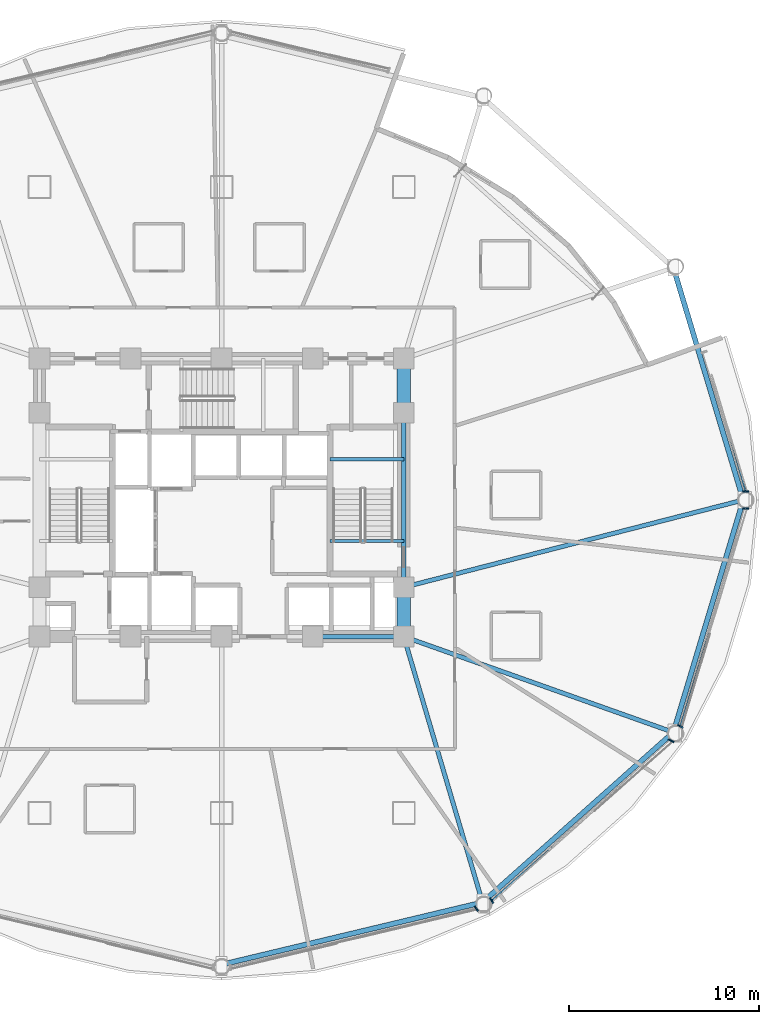
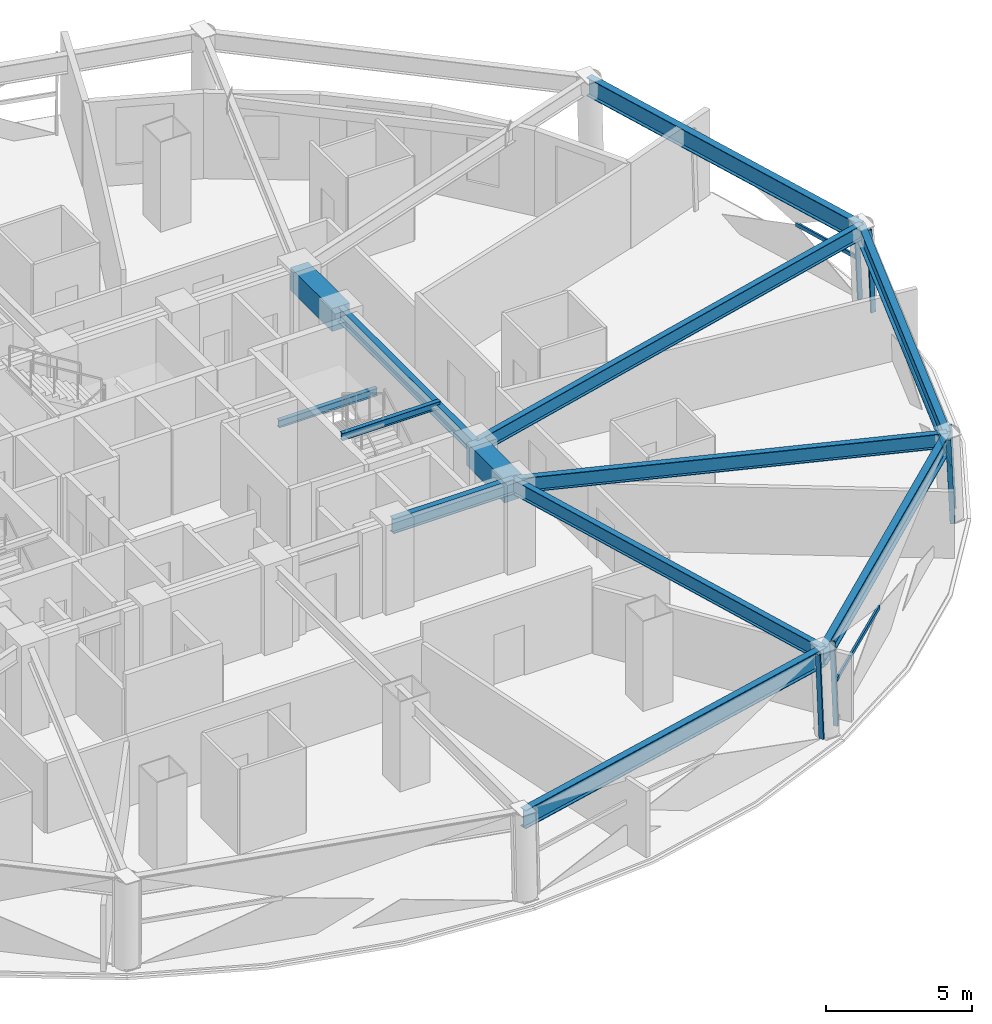
# One storey, part 3 of 16: 13 beams, 9 members, 4 elements without a shape of their own.
"""IFC4 building model written with IfcOpenShell, lengths in metres."""

from ifc_helpers import new_model, si_unit, direction, frame, origin, origin_2d, place, context, subcontext, project, spatial, rectangle, hollow_rectangle, i_section, extrude, material, layer, layer_set, material_profile, profile_set, type_object, element, aggregate, save


model = new_model("IFC4")

# Units and contexts
model_context = context("Model", 3, precision=1e-05, world=origin(), true_north=direction((0.0, 1.0)))
body_context = subcontext(model_context, "Body", "Model", "MODEL_VIEW")
ifc_project = project(units=[si_unit("LENGTHUNIT", "METRE"), si_unit("AREAUNIT", "SQUARE_METRE"), si_unit("VOLUMEUNIT", "CUBIC_METRE"), si_unit("PLANEANGLEUNIT", "RADIAN"), si_unit("MASSUNIT", "GRAM", prefix="KILO")], contexts=[model_context])

# Site, building, storey
site_placement = place(None, origin())
site = spatial("IfcSite", under=ifc_project, at=site_placement, CompositionType="ELEMENT")
building_placement = place(site_placement, origin())
building = spatial("IfcBuilding", under=site, at=building_placement, Name="Vantalir Tower", CompositionType="ELEMENT")
storey_placement = place(building_placement, frame((0.0, 0.0, 75.75)))
storey = spatial("IfcBuildingStorey", under=building, at=storey_placement, Name="L18", CompositionType="ELEMENT", Elevation=75.75)

# Beams
ifc_material_1 = material(Name="Concrete C60/75", Category="concrete")
ifc_material_profile_1 = material_profile(ifc_material_1, rectangle(XDim=0.699951171875, YDim=0.949951171875, at=origin_2d()), Name="Concrete C60/75")
ifc_profile_set_1 = profile_set([ifc_material_profile_1], Name="Concrete C60/75")
beam_type_1 = type_object("IfcBeamType", Name="BM-CB-700x950", PredefinedType="USERDEFINED", material=ifc_profile_set_1)
beam_1_placement = place(storey_placement, frame((41.10009765625, 17.800048828125, 3.094970703125), z_axis=(0.0, 1.0, 0.0), x_axis=(-1.0, 0.0, 0.0)))
element("IfcBeam", 1, at=beam_1_placement, inside=storey, type_object=beam_type_1, Name="L18 Core Coupling Girder 05", ObjectType="GIRDER", PredefinedType="USERDEFINED", context=body_context, shape_type="SweptSolid", body=[
    extrude(rectangle(XDim=0.699951171875, YDim=0.949951171875, at=origin_2d()), origin(), (0.0, 0.0, 1.0), 2.599853515625),
])
beam_2_placement = place(storey_placement, frame((41.10009765625, 29.60009765625, 3.094970703125), z_axis=(0.0, 1.0, 0.0), x_axis=(-1.0, 0.0, 0.0)))
element("IfcBeam", 2, at=beam_2_placement, inside=storey, type_object=beam_type_1, Name="L18 Core Coupling Girder 07", ObjectType="GIRDER", PredefinedType="USERDEFINED", context=body_context, shape_type="SweptSolid", body=[
    extrude(rectangle(XDim=0.699951171875, YDim=0.949951171875, at=origin_2d()), origin(), (0.0, 0.0, 1.0), 2.849853515625),
])
ifc_material_2 = material(Name="Steel S355", Category="steel")
ifc_material_profile_2 = material_profile(ifc_material_2, i_section(OverallWidth=0.166015625, OverallDepth=0.306884765625, WebThickness=0.006591796875, FlangeThickness=0.01171875, at=origin_2d()), Name="Steel S355")
ifc_profile_set_2 = profile_set([ifc_material_profile_2], Name="Steel S355")
beam_type_2 = type_object("IfcBeamType", Name="BM-JS-305x165", PredefinedType="JOIST", material=ifc_profile_set_2)
for number, where, z_axis, x_axis, name in (
    (3, (37.2099609375, 22.8349609375, 3.595947265625), (1.0, 0.0, 0.0), (0.0, 1.0, 0.0), "L19 Stair ST2 Well Nosing Trimmer Beam"),
    (4, (37.2099609375, 27.14501953125, 1.52197265625), (1.0, 0.0, 0.0), (0.0, 1.0, 0.0), "L18 Stair ST2 Half-Landing Support Beam"),
):
    element("IfcBeam", number, at=place(storey_placement, frame(where, z_axis=z_axis, x_axis=x_axis)), inside=storey, type_object=beam_type_2, Name=name, PredefinedType="JOIST", context=body_context, shape_type="SweptSolid", body=[
        extrude(i_section(OverallWidth=0.166015625, OverallDepth=0.306884765625, WebThickness=0.006591796875, FlangeThickness=0.01171875, at=origin_2d()), origin(), (0.0, 0.0, 1.0), 3.89013671875),
    ])
ifc_material_profile_3 = material_profile(ifc_material_2, i_section(OverallWidth=0.22998046875, OverallDepth=0.616943359375, WebThickness=0.01318359375, FlangeThickness=0.022216796875, at=origin_2d()), Name="Steel S355")
ifc_profile_set_3 = profile_set([ifc_material_profile_3], Name="Steel S355")
beam_type_3 = type_object("IfcBeamType", Name="BM-RB-610x229", PredefinedType="BEAM", material=ifc_profile_set_3)
beam_3_placement = place(storey_placement, frame((36.300048828125, 17.800048828125, 3.261962890625), z_axis=(1.0, 0.0, 0.0), x_axis=(0.0, 1.0, 0.0)))
element("IfcBeam", 5, at=beam_3_placement, inside=storey, type_object=beam_type_3, Name="L18 Core Coupling Girder 04", PredefinedType="BEAM", context=body_context, shape_type="SweptSolid", body=[
    extrude(i_section(OverallWidth=0.22998046875, OverallDepth=0.616943359375, WebThickness=0.01318359375, FlangeThickness=0.022216796875, at=origin_2d()), origin(), (0.0, 0.0, 1.0), 4.800048828125),
])
beam_4_placement = place(storey_placement, frame((41.10009765625, 20.39990234375, 3.261962890625), z_axis=(0.0, 1.0, 0.0), x_axis=(-1.0, 0.0, 0.0)))
element("IfcBeam", 6, at=beam_4_placement, inside=storey, type_object=beam_type_3, Name="L18 Core Coupling Girder 06", PredefinedType="BEAM", context=body_context, shape_type="SweptSolid", body=[
    extrude(i_section(OverallWidth=0.22998046875, OverallDepth=0.616943359375, WebThickness=0.01318359375, FlangeThickness=0.022216796875, at=origin_2d()), origin(), (0.0, 0.0, 1.0), 9.2001953125),
])
beam_5_placement = place(storey_placement, frame((59.0, 25.0, 3.261962890625), z_axis=(-0.968528607781, -0.248902261761, 0.0), x_axis=(0.248902261761, -0.968528607781, 0.0)))
element("IfcBeam", 7, at=beam_5_placement, inside=storey, type_object=beam_type_3, Name="L18 Radial Floor Beam 01", PredefinedType="BEAM", context=body_context, shape_type="SweptSolid", body=[
    extrude(i_section(OverallWidth=0.22998046875, OverallDepth=0.616943359375, WebThickness=0.01318359375, FlangeThickness=0.022216796875, at=origin_2d()), origin(), (0.0, 0.0, 1.0), 18.4814453125),
])
beam_6_placement = place(storey_placement, frame((45.25, 3.787109375, 3.261962890625), z_axis=(-0.283957507108, 0.958836865247, 0.0), x_axis=(-0.958836865247, -0.283957507108, 0.0)))
element("IfcBeam", 8, at=beam_6_placement, inside=storey, type_object=beam_type_3, Name="L18 Radial Floor Beam 11", PredefinedType="BEAM", context=body_context, shape_type="SweptSolid", body=[
    extrude(i_section(OverallWidth=0.22998046875, OverallDepth=0.616943359375, WebThickness=0.01318359375, FlangeThickness=0.022216796875, at=origin_2d()), origin(), (0.0, 0.0, 1.0), 14.614501953125),
])
beam_7_placement = place(storey_placement, frame((55.31591796875, 12.751953125, 3.261962890625), z_axis=(-0.942348909406, 0.334631936522, 0.0), x_axis=(-0.334631936522, -0.942348909406, 0.0)))
element("IfcBeam", 9, at=beam_7_placement, inside=storey, type_object=beam_type_3, Name="L18 Radial Floor Beam 12", PredefinedType="BEAM", context=body_context, shape_type="SweptSolid", body=[
    extrude(i_section(OverallWidth=0.22998046875, OverallDepth=0.616943359375, WebThickness=0.01318359375, FlangeThickness=0.022216796875, at=origin_2d()), origin(), (0.0, 0.0, 1.0), 15.08544921875),
])
ifc_material_3 = material(Name="Steel S460", Category="steel")
ifc_material_profile_4 = material_profile(ifc_material_3, i_section(OverallWidth=0.26806640625, OverallDepth=0.77001953125, WebThickness=0.015625, FlangeThickness=0.025390625, at=origin_2d()), Name="Steel S460")
ifc_profile_set_4 = profile_set([ifc_material_profile_4], Name="Steel S460")
beam_type_4 = type_object("IfcBeamType", Name="BM-RG-762x267", PredefinedType="USERDEFINED", material=ifc_profile_set_4)
beam_8_placement = place(storey_placement, frame((59.0, 25.0, 3.18505859375), z_axis=(-0.288062352819, 0.957611654528, 0.0), x_axis=(-0.957611654528, -0.288062352819, 0.0)))
element("IfcBeam", 10, at=beam_8_placement, inside=storey, type_object=beam_type_4, Name="L18 Circumferential Ring Girder 01", ObjectType="GIRDER", PredefinedType="USERDEFINED", context=body_context, shape_type="SweptSolid", body=[
    extrude(i_section(OverallWidth=0.26806640625, OverallDepth=0.77001953125, WebThickness=0.015625, FlangeThickness=0.025390625, at=origin_2d()), origin(), (0.0, 0.0, 1.0), 12.7890625),
])
beam_9_placement = place(storey_placement, frame((31.5, 0.5048828125, 3.18505859375), z_axis=(0.972671890468, 0.232183964763, 0.0), x_axis=(-0.232183964763, 0.972671890468, 0.0)))
element("IfcBeam", 11, at=beam_9_placement, inside=storey, type_object=beam_type_4, Name="L18 Circumferential Ring Girder 10", ObjectType="GIRDER", PredefinedType="USERDEFINED", context=body_context, shape_type="SweptSolid", body=[
    extrude(i_section(OverallWidth=0.26806640625, OverallDepth=0.77001953125, WebThickness=0.015625, FlangeThickness=0.025390625, at=origin_2d()), origin(), (0.0, 0.0, 1.0), 14.13623046875),
])
beam_10_placement = place(storey_placement, frame((45.25, 3.787109375, 3.18505859375), z_axis=(0.74676942142, 0.665083025819, 0.0), x_axis=(-0.665083025819, 0.74676942142, 0.0)))
element("IfcBeam", 12, at=beam_10_placement, inside=storey, type_object=beam_type_4, Name="L18 Circumferential Ring Girder 11", ObjectType="GIRDER", PredefinedType="USERDEFINED", context=body_context, shape_type="SweptSolid", body=[
    extrude(i_section(OverallWidth=0.26806640625, OverallDepth=0.77001953125, WebThickness=0.015625, FlangeThickness=0.025390625, at=origin_2d()), origin(), (0.0, 0.0, 1.0), 13.479248046875),
])
beam_11_placement = place(storey_placement, frame((55.31591796875, 12.751953125, 3.18505859375), z_axis=(0.288041290662, 0.957617990053, 0.0), x_axis=(-0.957617990053, 0.288041290662, 0.0)))
element("IfcBeam", 13, at=beam_11_placement, inside=storey, type_object=beam_type_4, Name="L18 Circumferential Ring Girder 12", ObjectType="GIRDER", PredefinedType="USERDEFINED", context=body_context, shape_type="SweptSolid", body=[
    extrude(i_section(OverallWidth=0.26806640625, OverallDepth=0.77001953125, WebThickness=0.015625, FlangeThickness=0.025390625, at=origin_2d()), origin(), (0.0, 0.0, 1.0), 12.7900390625),
])

# Curtain wall, member
ifc_material_4 = material(Name="Champagne-silver PVDF aluminium and double-silver Low-E glass", Category="aluminium")
ifc_layer = layer(ifc_material_4, 0.18994140625)
ifc_layer_set = layer_set([ifc_layer], Name="Champagne-silver PVDF aluminium and double-silver Low-E glass")
curtain_wall_type = type_object("IfcCurtainWallType", Name="CW-DIAMOND-Z1", PredefinedType="USERDEFINED", material=ifc_layer_set)
curtain_wall_1_placement = place(storey_placement, origin())
curtain_wall_1 = element("IfcCurtainWall", 14, at=curtain_wall_1_placement, inside=storey, type_object=curtain_wall_type, Name="L18 Quilted Pyramid-Diamond Curtain Wall S01", ObjectType="UNITISED CURTAIN WALL", PredefinedType="USERDEFINED")
ifc_material_5 = material(Name="Champagne-silver PVDF aluminium 6063-T6", Category="aluminium")
ifc_material_profile_5 = material_profile(ifc_material_5, hollow_rectangle(XDim=0.074951171875, YDim=0.179931640625, WallThickness=0.00390625, at=origin_2d()), Name="Champagne-silver PVDF aluminium 6063-T6")
ifc_profile_set_5 = profile_set([ifc_material_profile_5], Name="Champagne-silver PVDF aluminium 6063-T6")
member_type_1 = type_object("IfcMemberType", Name="CWM-180x75", PredefinedType="MULLION", material=ifc_profile_set_5)
member_1_placement = place(storey_placement, frame((59.205078125, 25.449951171875, 0.044921875), z_axis=(-0.043105680419, 0.0, 0.99907051819), x_axis=(0.0, -1.0, 0.0)))
member_1 = element("IfcMember", 15, at=member_1_placement, type_object=member_type_1, Name="CW-L18-S01 Mullion 1", PredefinedType="MULLION", context=body_context, shape_type="SweptSolid", body=[
    extrude(hollow_rectangle(XDim=0.074951171875, YDim=0.179931640625, WallThickness=0.00390625, at=origin_2d()), origin(), (0.0, 0.0, 1.0), 3.483154296875),
])

curtain_wall_2_placement = place(storey_placement, origin())
curtain_wall_2 = element("IfcCurtainWall", 16, at=curtain_wall_2_placement, inside=storey, type_object=curtain_wall_type, Name="L18 Quilted Pyramid-Diamond Curtain Wall S10", ObjectType="UNITISED CURTAIN WALL", PredefinedType="USERDEFINED")
member_2_placement = place(storey_placement, frame((44.962890625, 3.39697265625, 0.044921875), z_axis=(-0.021520879749, 0.033297778114, 0.999213745756), x_axis=(-0.839854665326, -0.542811331063, 0.0)))
member_2 = element("IfcMember", 17, at=member_2_placement, type_object=member_type_1, Name="CW-L18-S10 Mullion 2", PredefinedType="MULLION", context=body_context, shape_type="SweptSolid", body=[
    extrude(hollow_rectangle(XDim=0.074951171875, YDim=0.179931640625, WallThickness=0.00390625, at=origin_2d()), origin(), (0.0, 0.0, 1.0), 3.482666015625),
])
aggregate(curtain_wall_2, [member_2])

# Curtain wall, members
curtain_wall_3_placement = place(storey_placement, origin())
curtain_wall_3 = element("IfcCurtainWall", 18, at=curtain_wall_3_placement, inside=storey, type_object=curtain_wall_type, Name="L18 Quilted Pyramid-Diamond Curtain Wall S11", ObjectType="UNITISED CURTAIN WALL", PredefinedType="USERDEFINED")
member_3_placement = place(storey_placement, frame((45.77099609375, 3.819091796875, 0.044921875), z_axis=(-0.021520879749, 0.033297778114, 0.999213745756), x_axis=(-0.839854665326, -0.542811331063, 0.0)))
member_3 = element("IfcMember", 19, at=member_3_placement, type_object=member_type_1, Name="CW-L18-S11 Mullion 1", PredefinedType="MULLION", context=body_context, shape_type="SweptSolid", body=[
    extrude(hollow_rectangle(XDim=0.074951171875, YDim=0.179931640625, WallThickness=0.00390625, at=origin_2d()), origin(), (0.0, 0.0, 1.0), 3.482666015625),
])
member_4_placement = place(storey_placement, frame((55.259033203125, 12.277099609375, 0.044921875), z_axis=(-0.03736000552, 0.019205706402, 0.999117295831), x_axis=(-0.457197196227, -0.889365348865, 0.0)))
member_4 = element("IfcMember", 20, at=member_4_placement, type_object=member_type_1, Name="CW-L18-S11 Mullion 2", PredefinedType="MULLION", context=body_context, shape_type="SweptSolid", body=[
    extrude(hollow_rectangle(XDim=0.074951171875, YDim=0.179931640625, WallThickness=0.00390625, at=origin_2d()), origin(), (0.0, 0.0, 1.0), 3.483154296875),
])

curtain_wall_4_placement = place(storey_placement, origin())
curtain_wall_4 = element("IfcCurtainWall", 21, at=curtain_wall_4_placement, inside=storey, type_object=curtain_wall_type, Name="L18 Quilted Pyramid-Diamond Curtain Wall S12", ObjectType="UNITISED CURTAIN WALL", PredefinedType="USERDEFINED")
member_5_placement = place(storey_placement, frame((55.7451171875, 13.0400390625, 0.044921875), z_axis=(-0.03736000552, 0.019205706402, 0.999117295831), x_axis=(-0.457197196227, -0.889365348865, 0.0)))
member_5 = element("IfcMember", 22, at=member_5_placement, type_object=member_type_1, Name="CW-L18-S12 Mullion 1", PredefinedType="MULLION", context=body_context, shape_type="SweptSolid", body=[
    extrude(hollow_rectangle(XDim=0.074951171875, YDim=0.179931640625, WallThickness=0.00390625, at=origin_2d()), origin(), (0.0, 0.0, 1.0), 3.483154296875),
])
member_6_placement = place(storey_placement, frame((59.205078125, 24.550048828125, 0.044921875), z_axis=(-0.043105680419, 0.0, 0.99907051819), x_axis=(0.0, -1.0, 0.0)))
member_6 = element("IfcMember", 23, at=member_6_placement, type_object=member_type_1, Name="CW-L18-S12 Mullion 2", PredefinedType="MULLION", context=body_context, shape_type="SweptSolid", body=[
    extrude(hollow_rectangle(XDim=0.074951171875, YDim=0.179931640625, WallThickness=0.00390625, at=origin_2d()), origin(), (0.0, 0.0, 1.0), 3.483154296875),
])

# Member
ifc_material_profile_6 = material_profile(ifc_material_5, hollow_rectangle(XDim=0.074951171875, YDim=0.159912109375, WallThickness=0.00390625, at=origin_2d()), Name="Champagne-silver PVDF aluminium 6063-T6")
ifc_profile_set_6 = profile_set([ifc_material_profile_6], Name="Champagne-silver PVDF aluminium 6063-T6")
member_type_2 = type_object("IfcMemberType", Name="CWT-160x75", PredefinedType="USERDEFINED", material=ifc_profile_set_6)
member_7_placement = place(storey_placement, frame((59.1298828125, 25.449951171875, 1.784912109375), z_axis=(-0.280119086175, 0.959965258517, 0.0), x_axis=(-0.959965258517, -0.280119086175, 0.0)))
member_7 = element("IfcMember", 24, at=member_7_placement, type_object=member_type_2, Name="CW-L18-S01 Pyramid Fold Ridge Transom", ObjectType="TRANSOM", PredefinedType="USERDEFINED", context=body_context, shape_type="SweptSolid", body=[
    extrude(hollow_rectangle(XDim=0.074951171875, YDim=0.159912109375, WallThickness=0.00390625, at=origin_2d()), origin(), (0.0, 0.0, 1.0), 2.912841796875),
])

aggregate(curtain_wall_1, [member_1, member_7])

member_8_placement = place(storey_placement, frame((45.73291015625, 3.876953125, 1.784912109375), z_axis=(0.749747637683, 0.661723869744, 0.0), x_axis=(-0.661723869744, 0.749747637683, 0.0)))
member_8 = element("IfcMember", 25, at=member_8_placement, type_object=member_type_2, Name="CW-L18-S11 Pyramid Fold Ridge Transom", ObjectType="TRANSOM", PredefinedType="USERDEFINED", context=body_context, shape_type="SweptSolid", body=[
    extrude(hollow_rectangle(XDim=0.074951171875, YDim=0.159912109375, WallThickness=0.00390625, at=origin_2d()), origin(), (0.0, 0.0, 1.0), 4.817626953125),
])

aggregate(curtain_wall_3, [member_3, member_4, member_8])

member_9_placement = place(storey_placement, frame((55.679931640625, 13.073974609375, 1.784912109375), z_axis=(0.291019145536, 0.956717229348, 0.0), x_axis=(-0.956717229348, 0.291019145536, 0.0)))
member_9 = element("IfcMember", 26, at=member_9_placement, type_object=member_type_2, Name="CW-L18-S12 Pyramid Fold Ridge Transom", ObjectType="TRANSOM", PredefinedType="USERDEFINED", context=body_context, shape_type="SweptSolid", body=[
    extrude(hollow_rectangle(XDim=0.074951171875, YDim=0.159912109375, WallThickness=0.00390625, at=origin_2d()), origin(), (0.0, 0.0, 1.0), 7.432861328125),
])

aggregate(curtain_wall_4, [member_5, member_6, member_9])

save(model, "model.ifc")
